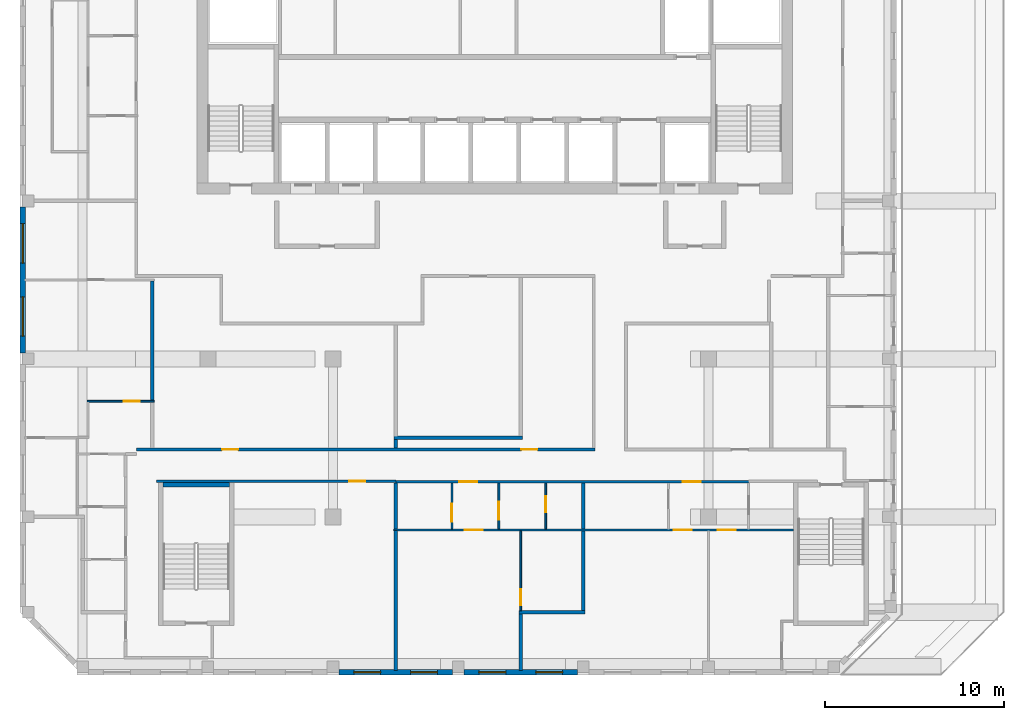
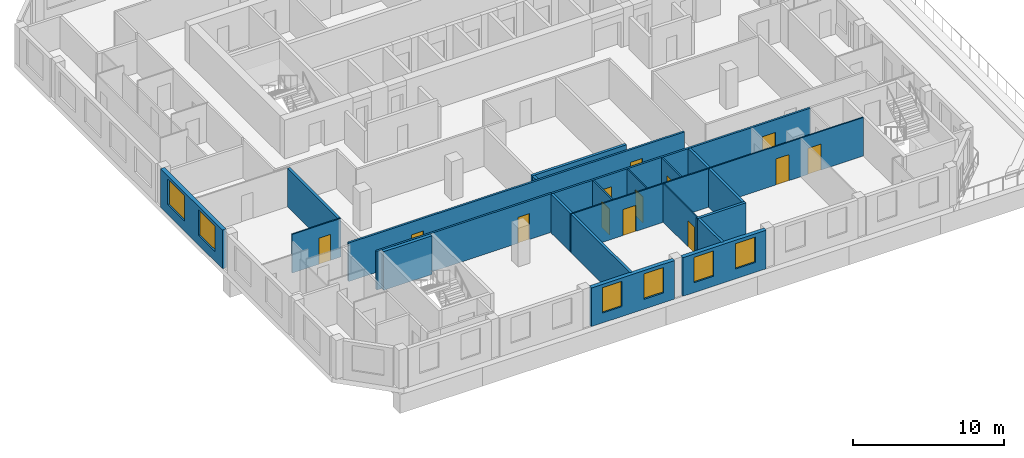
# One storey, part 3 of 13: 22 walls, 13 doors, 6 windows, 19 openings.
"""IFC4 building model written with IfcOpenShell, lengths in metres."""

from ifc_helpers import new_model, si_unit, direction, frame, frame_2d, origin, place, context, subcontext, project, spatial, rectangle, extrude, source, transform, mapped, material, layer, layer_set, type_object, element, fill, save


model = new_model("IFC4")

# Units and contexts
model_context = context("Model", 3, precision=1e-05, world=origin(), true_north=direction((0.0, 1.0)))
body_context = subcontext(model_context, "Body", "Model", "MODEL_VIEW")
ifc_project = project(units=[si_unit("LENGTHUNIT", "METRE"), si_unit("AREAUNIT", "SQUARE_METRE"), si_unit("VOLUMEUNIT", "CUBIC_METRE"), si_unit("PLANEANGLEUNIT", "RADIAN"), si_unit("MASSUNIT", "GRAM", prefix="KILO")], contexts=[model_context])

# Site, building, storey
site_placement = place(None, origin())
site = spatial("IfcSite", under=ifc_project, at=site_placement, CompositionType="ELEMENT")
building_placement = place(site_placement, origin())
building = spatial("IfcBuilding", under=site, at=building_placement, Name="Kilnfold Tower and Market Hall", CompositionType="ELEMENT")
storey_placement = place(building_placement, frame((0.0, 0.0, 267.0)))
storey = spatial("IfcBuildingStorey", under=building, at=storey_placement, Name="L65", CompositionType="ELEMENT", Elevation=267.0)

# Wall, openings, doors
ifc_material_1 = material(Name="Gypsum board on steel studs", Category="steel")
ifc_layer_1 = layer(ifc_material_1, 0.14990234375)
ifc_layer_set_1 = layer_set([ifc_layer_1], Name="Gypsum board on steel studs")
wall_type_1 = type_object("IfcWallType", Name="WALL CORRIDOR 150", PredefinedType="PARTITIONING", material=ifc_layer_set_1)
wall_1_placement = place(storey_placement, frame((-19.0, -5.89990234375, 0.0), z_axis=(0.0, 0.0, 1.0), x_axis=(1.0, 0.0, 0.0)))
wall_1 = element("IfcWall", 1, at=wall_1_placement, inside=storey, type_object=wall_type_1, Name="Partition LY41.6", PredefinedType="PARTITIONING", context=body_context, shape_type="SweptSolid", body=[
    extrude(rectangle(XDim=25.655029296875, YDim=0.14990234375, at=frame_2d((12.82763671875, 0.0))), origin(), (0.0, 0.0, 1.0), 3.1201171875),
])
opening_1_placement = place(wall_1_placement, frame((4.7958984375, 0.0, 0.0)))
opening_1 = element("IfcOpeningElement", 2, at=opening_1_placement, cuts=wall_1, Name="Opening D2", PredefinedType="OPENING", context=body_context, shape_type="SweptSolid", body=[
    extrude(rectangle(XDim=0.89990234375, YDim=2.10009765625, at=frame_2d((0.449951171875, 1.050048828125))), frame((0.0, 0.0849609375, 0.0), z_axis=(0.0, -1.0, 0.0), x_axis=(1.0, 0.0, 0.0)), (0.0, 0.0, 1.0), 0.169921875),
])
opening_2_placement = place(wall_1_placement, frame((21.534912109375, 0.0, 0.0)))
opening_2 = element("IfcOpeningElement", 3, at=opening_2_placement, cuts=wall_1, Name="Opening D2", PredefinedType="OPENING", context=body_context, shape_type="SweptSolid", body=[
    extrude(rectangle(XDim=0.89990234375, YDim=2.10009765625, at=frame_2d((0.449951171875, 1.050048828125))), frame((0.0, 0.0849609375, 0.0), z_axis=(0.0, -1.0, 0.0), x_axis=(1.0, 0.0, 0.0)), (0.0, 0.0, 1.0), 0.169921875),
])
ifc_material_2 = material(Name="Timber veneer door leaf in steel frame", Category="steel")
door_type_1 = type_object("IfcDoorType", Name="DOOR ROOM 900 X2100", OperationType="NOTDEFINED", PredefinedType="DOOR", material=ifc_material_2)
door_1_placement = place(opening_1_placement, origin())
door_1 = element("IfcDoor", 4, at=door_1_placement, inside=storey, type_object=door_type_1, Name="Door D2", OperationType="SINGLE_SWING_LEFT", OverallHeight=2.10009765625, OverallWidth=0.89990234375, PredefinedType="DOOR", context=body_context, shape_type="SweptSolid", body=[
    extrude(rectangle(XDim=0.89990234375, YDim=2.10009765625, at=frame_2d((0.449951171875, 1.050048828125))), frame((0.0, 0.02490234375, 0.0), z_axis=(0.0, -1.0, 0.0), x_axis=(1.0, 0.0, 0.0)), (0.0, 0.0, 1.0), 0.050048828125),
])
fill(opening_1, door_1)
door_2_placement = place(opening_2_placement, origin())
door_2 = element("IfcDoor", 5, at=door_2_placement, inside=storey, type_object=door_type_1, Name="Door D2", OperationType="SINGLE_SWING_LEFT", OverallHeight=2.10009765625, OverallWidth=0.89990234375, PredefinedType="DOOR", context=body_context, shape_type="SweptSolid", body=[
    extrude(rectangle(XDim=0.89990234375, YDim=2.10009765625, at=frame_2d((0.449951171875, 1.050048828125))), frame((0.0, 0.02490234375, 0.0), z_axis=(0.0, -1.0, 0.0), x_axis=(1.0, 0.0, 0.0)), (0.0, 0.0, 1.0), 0.050048828125),
])
fill(opening_2, door_2)

# Wall, opening, door
wall_2_placement = place(storey_placement, frame((-17.875, -7.669921875, 0.0), z_axis=(0.0, 0.0, 1.0), x_axis=(1.0, 0.0, 0.0)))
wall_2 = element("IfcWall", 6, at=wall_2_placement, inside=storey, type_object=wall_type_1, Name="Partition LY41.9", PredefinedType="PARTITIONING", context=body_context, shape_type="SweptSolid", body=[
    extrude(rectangle(XDim=13.385009765625, YDim=0.14990234375, at=frame_2d((6.6923828125, 0.0))), origin(), (0.0, 0.0, 1.0), 3.1201171875),
])
opening_3_placement = place(wall_2_placement, frame((10.77392578125, 0.0, 0.0)))
opening_3 = element("IfcOpeningElement", 7, at=opening_3_placement, cuts=wall_2, Name="Opening D2", PredefinedType="OPENING", context=body_context, shape_type="SweptSolid", body=[
    extrude(rectangle(XDim=0.89990234375, YDim=2.10009765625, at=frame_2d((0.449951171875, 1.050048828125))), frame((0.0, 0.0849609375, 0.0), z_axis=(0.0, -1.0, 0.0), x_axis=(1.0, 0.0, 0.0)), (0.0, 0.0, 1.0), 0.169921875),
])
door_3_placement = place(opening_3_placement, origin())
door_3 = element("IfcDoor", 8, at=door_3_placement, inside=storey, type_object=door_type_1, Name="Door D2", OperationType="SINGLE_SWING_RIGHT", OverallHeight=2.10009765625, OverallWidth=0.89990234375, PredefinedType="DOOR", context=body_context, shape_type="SweptSolid", body=[
    extrude(rectangle(XDim=0.89990234375, YDim=2.10009765625, at=frame_2d((0.449951171875, 1.050048828125))), frame((0.0, 0.02490234375, 0.0), z_axis=(0.0, -1.0, 0.0), x_axis=(1.0, 0.0, 0.0)), (0.0, 0.0, 1.0), 0.050048828125),
])
fill(opening_3, door_3)

# Wall, openings, doors
wall_3_placement = place(storey_placement, frame((-4.510009765625, -7.699951171875, 0.0), z_axis=(0.0, 0.0, 1.0), x_axis=(1.0, 0.0, 0.0)))
wall_3 = element("IfcWall", 9, at=wall_3_placement, inside=storey, type_object=wall_type_1, Name="Partition LY41.15", PredefinedType="PARTITIONING", context=body_context, shape_type="SweptSolid", body=[
    extrude(rectangle(XDim=19.760009765625, YDim=0.14990234375, at=frame_2d((9.8798828125, 0.0))), origin(), (0.0, 0.0, 1.0), 3.1201171875),
])
opening_4_placement = place(wall_3_placement, frame((3.56591796875, 0.0, 0.0)))
opening_4 = element("IfcOpeningElement", 10, at=opening_4_placement, cuts=wall_3, Name="Opening D1", PredefinedType="OPENING", context=body_context, shape_type="SweptSolid", body=[
    extrude(rectangle(XDim=1.0, YDim=2.10009765625, at=frame_2d((0.5, 1.050048828125))), frame((0.0, 0.0849609375, 0.0), z_axis=(0.0, -1.0, 0.0), x_axis=(1.0, 0.0, 0.0)), (0.0, 0.0, 1.0), 0.169921875),
])
opening_5_placement = place(wall_3_placement, frame((16.080078125, 0.0, 0.0)))
opening_5 = element("IfcOpeningElement", 11, at=opening_5_placement, cuts=wall_3, Name="Opening D1", PredefinedType="OPENING", context=body_context, shape_type="SweptSolid", body=[
    extrude(rectangle(XDim=1.0, YDim=2.10009765625, at=frame_2d((0.5, 1.050048828125))), frame((0.0, 0.0849609375, 0.0), z_axis=(0.0, -1.0, 0.0), x_axis=(1.0, 0.0, 0.0)), (0.0, 0.0, 1.0), 0.169921875),
])
ifc_material_3 = material(Name="Timber veneer door leaf in steel frame", Category="steel")
door_type_2 = type_object("IfcDoorType", Name="DOOR ENTRY 1000 X2100", OperationType="NOTDEFINED", PredefinedType="DOOR", material=ifc_material_3)
door_4_placement = place(opening_4_placement, origin())
door_4 = element("IfcDoor", 12, at=door_4_placement, inside=storey, type_object=door_type_2, Name="Door D1", OperationType="SINGLE_SWING_LEFT", OverallHeight=2.10009765625, OverallWidth=1.0, PredefinedType="DOOR", context=body_context, shape_type="SweptSolid", body=[
    extrude(rectangle(XDim=1.0, YDim=2.10009765625, at=frame_2d((0.5, 1.050048828125))), frame((0.0, 0.02490234375, 0.0), z_axis=(0.0, -1.0, 0.0), x_axis=(1.0, 0.0, 0.0)), (0.0, 0.0, 1.0), 0.050048828125),
])
fill(opening_4, door_4)
door_5_placement = place(opening_5_placement, origin())
door_5 = element("IfcDoor", 13, at=door_5_placement, inside=storey, type_object=door_type_2, Name="Door D1", OperationType="SINGLE_SWING_LEFT", OverallHeight=2.10009765625, OverallWidth=1.0, PredefinedType="DOOR", context=body_context, shape_type="SweptSolid", body=[
    extrude(rectangle(XDim=1.0, YDim=2.10009765625, at=frame_2d((0.5, 1.050048828125))), frame((0.0, 0.02490234375, 0.0), z_axis=(0.0, -1.0, 0.0), x_axis=(1.0, 0.0, 0.0)), (0.0, 0.0, 1.0), 0.050048828125),
])
fill(opening_5, door_5)

# Wall, opening, door
ifc_material_4 = material(Name="Gypsum board on steel studs", Category="steel")
ifc_layer_2 = layer(ifc_material_4, 0.10009765625)
ifc_layer_set_2 = layer_set([ifc_layer_2], Name="Gypsum board on steel studs")
wall_type_2 = type_object("IfcWallType", Name="WALL PARTITION 100", PredefinedType="PARTITIONING", material=ifc_layer_set_2)
wall_4_placement = place(storey_placement, frame((-18.0, -3.199951171875, 0.0), z_axis=(0.0, 0.0, 1.0), x_axis=(-1.0, 0.0, 0.0)))
wall_4 = element("IfcWall", 14, at=wall_4_placement, inside=storey, type_object=wall_type_2, Name="Partition LY41.48", PredefinedType="PARTITIONING", context=body_context, shape_type="SweptSolid", body=[
    extrude(rectangle(XDim=3.75, YDim=0.10009765625, at=frame_2d((1.875, 0.0))), origin(), (0.0, 0.0, 1.0), 3.1201171875),
])
opening_6_placement = place(wall_4_placement, frame((0.81201171875, 0.0, 0.0)))
opening_6 = element("IfcOpeningElement", 15, at=opening_6_placement, cuts=wall_4, Name="Opening D2", PredefinedType="OPENING", context=body_context, shape_type="SweptSolid", body=[
    extrude(rectangle(XDim=0.89990234375, YDim=2.10009765625, at=frame_2d((0.449951171875, 1.050048828125))), frame((0.0, 0.06005859375, 0.0), z_axis=(0.0, -1.0, 0.0), x_axis=(1.0, 0.0, 0.0)), (0.0, 0.0, 1.0), 0.1201171875),
])
door_6_placement = place(opening_6_placement, origin())
door_6 = element("IfcDoor", 16, at=door_6_placement, inside=storey, type_object=door_type_1, Name="Door D2", OperationType="SINGLE_SWING_LEFT", OverallHeight=2.10009765625, OverallWidth=0.89990234375, PredefinedType="DOOR", context=body_context, shape_type="SweptSolid", body=[
    extrude(rectangle(XDim=0.89990234375, YDim=2.10009765625, at=frame_2d((0.449951171875, 1.050048828125))), frame((0.0, 0.02490234375, 0.0), z_axis=(0.0, -1.0, 0.0), x_axis=(1.0, 0.0, 0.0)), (0.0, 0.0, 1.0), 0.050048828125),
])
fill(opening_6, door_6)

wall_5_placement = place(storey_placement, frame((-1.35009765625, -10.35009765625, 0.0), z_axis=(0.0, 0.0, 1.0), x_axis=(0.0, 1.0, 0.0)))
wall_5 = element("IfcWall", 17, at=wall_5_placement, inside=storey, type_object=wall_type_2, Name="Partition LY41.57", PredefinedType="PARTITIONING", context=body_context, shape_type="SweptSolid", body=[
    extrude(rectangle(XDim=2.572998046875, YDim=0.10009765625, at=frame_2d((1.28662109375, 0.0))), origin(), (0.0, 0.0, 1.0), 3.1201171875),
])
opening_7_placement = place(wall_5_placement, frame((0.4130859375, 0.0, 0.0)))
opening_7 = element("IfcOpeningElement", 18, at=opening_7_placement, cuts=wall_5, Name="Opening D1", PredefinedType="OPENING", context=body_context, shape_type="SweptSolid", body=[
    extrude(rectangle(XDim=1.0, YDim=2.10009765625, at=frame_2d((0.5, 1.050048828125))), frame((0.0, 0.06005859375, 0.0), z_axis=(0.0, -1.0, 0.0), x_axis=(1.0, 0.0, 0.0)), (0.0, 0.0, 1.0), 0.1201171875),
])
door_7_placement = place(opening_7_placement, origin())
door_7 = element("IfcDoor", 19, at=door_7_placement, inside=storey, type_object=door_type_2, Name="Door D1", OperationType="SINGLE_SWING_RIGHT", OverallHeight=2.10009765625, OverallWidth=1.0, PredefinedType="DOOR", context=body_context, shape_type="SweptSolid", body=[
    extrude(rectangle(XDim=1.0, YDim=2.10009765625, at=frame_2d((0.5, 1.050048828125))), frame((0.0, 0.02490234375, 0.0), z_axis=(0.0, -1.0, 0.0), x_axis=(1.0, 0.0, 0.0)), (0.0, 0.0, 1.0), 0.050048828125),
])
fill(opening_7, door_7)

# Wall, openings, doors
wall_6_placement = place(storey_placement, frame((-4.60009765625, -10.39990234375, 0.0), z_axis=(0.0, 0.0, 1.0), x_axis=(1.0, 0.0, 0.0)))
wall_6 = element("IfcWall", 20, at=wall_6_placement, inside=storey, type_object=wall_type_2, Name="Partition LY41.58", PredefinedType="PARTITIONING", context=body_context, shape_type="SweptSolid", body=[
    extrude(rectangle(XDim=22.35009765625, YDim=0.10009765625, at=frame_2d((11.175048828125, 0.0))), origin(), (0.0, 0.0, 1.0), 3.1201171875),
])
opening_8_placement = place(wall_6_placement, frame((3.9599609375, 0.0, 0.0)))
opening_8 = element("IfcOpeningElement", 21, at=opening_8_placement, cuts=wall_6, Name="Opening D1", PredefinedType="OPENING", context=body_context, shape_type="SweptSolid", body=[
    extrude(rectangle(XDim=1.0, YDim=2.10009765625, at=frame_2d((0.5, 1.050048828125))), frame((0.0, 0.06005859375, 0.0), z_axis=(0.0, -1.0, 0.0), x_axis=(1.0, 0.0, 0.0)), (0.0, 0.0, 1.0), 0.1201171875),
])
opening_9_placement = place(wall_6_placement, frame((15.666015625, 0.0, 0.0)))
opening_9 = element("IfcOpeningElement", 22, at=opening_9_placement, cuts=wall_6, Name="Opening D1", PredefinedType="OPENING", context=body_context, shape_type="SweptSolid", body=[
    extrude(rectangle(XDim=1.0, YDim=2.10009765625, at=frame_2d((0.5, 1.050048828125))), frame((0.0, 0.06005859375, 0.0), z_axis=(0.0, -1.0, 0.0), x_axis=(1.0, 0.0, 0.0)), (0.0, 0.0, 1.0), 0.1201171875),
])
opening_10_placement = place(wall_6_placement, frame((18.10888671875, 0.0, 0.0)))
opening_10 = element("IfcOpeningElement", 23, at=opening_10_placement, cuts=wall_6, Name="Opening D1", PredefinedType="OPENING", context=body_context, shape_type="SweptSolid", body=[
    extrude(rectangle(XDim=1.0, YDim=2.10009765625, at=frame_2d((0.5, 1.050048828125))), frame((0.0, 0.06005859375, 0.0), z_axis=(0.0, -1.0, 0.0), x_axis=(1.0, 0.0, 0.0)), (0.0, 0.0, 1.0), 0.1201171875),
])
door_8_placement = place(opening_8_placement, origin())
door_8 = element("IfcDoor", 24, at=door_8_placement, inside=storey, type_object=door_type_2, Name="Door D1", OperationType="SINGLE_SWING_RIGHT", OverallHeight=2.10009765625, OverallWidth=1.0, PredefinedType="DOOR", context=body_context, shape_type="SweptSolid", body=[
    extrude(rectangle(XDim=1.0, YDim=2.10009765625, at=frame_2d((0.5, 1.050048828125))), frame((0.0, 0.02490234375, 0.0), z_axis=(0.0, -1.0, 0.0), x_axis=(1.0, 0.0, 0.0)), (0.0, 0.0, 1.0), 0.050048828125),
])
fill(opening_8, door_8)
door_9_placement = place(opening_9_placement, origin())
door_9 = element("IfcDoor", 25, at=door_9_placement, inside=storey, type_object=door_type_2, Name="Door D1", OperationType="SINGLE_SWING_RIGHT", OverallHeight=2.10009765625, OverallWidth=1.0, PredefinedType="DOOR", context=body_context, shape_type="SweptSolid", body=[
    extrude(rectangle(XDim=1.0, YDim=2.10009765625, at=frame_2d((0.5, 1.050048828125))), frame((0.0, 0.02490234375, 0.0), z_axis=(0.0, -1.0, 0.0), x_axis=(1.0, 0.0, 0.0)), (0.0, 0.0, 1.0), 0.050048828125),
])
fill(opening_9, door_9)
door_10_placement = place(opening_10_placement, origin())
door_10 = element("IfcDoor", 26, at=door_10_placement, inside=storey, type_object=door_type_2, Name="Door D1", OperationType="SINGLE_SWING_RIGHT", OverallHeight=2.10009765625, OverallWidth=1.0, PredefinedType="DOOR", context=body_context, shape_type="SweptSolid", body=[
    extrude(rectangle(XDim=1.0, YDim=2.10009765625, at=frame_2d((0.5, 1.050048828125))), frame((0.0, 0.02490234375, 0.0), z_axis=(0.0, -1.0, 0.0), x_axis=(1.0, 0.0, 0.0)), (0.0, 0.0, 1.0), 0.050048828125),
])
fill(opening_10, door_10)

# Wall, opening, door
wall_7_placement = place(storey_placement, frame((1.27490234375, -10.35009765625, 0.0), z_axis=(0.0, 0.0, 1.0), x_axis=(0.0, 1.0, 0.0)))
wall_7 = element("IfcWall", 27, at=wall_7_placement, inside=storey, type_object=wall_type_2, Name="Partition LY41.59", PredefinedType="PARTITIONING", context=body_context, shape_type="SweptSolid", body=[
    extrude(rectangle(XDim=2.572998046875, YDim=0.10009765625, at=frame_2d((1.28662109375, 0.0))), origin(), (0.0, 0.0, 1.0), 3.1201171875),
])
opening_11_placement = place(wall_7_placement, frame((0.52001953125, 0.0, 0.0)))
opening_11 = element("IfcOpeningElement", 28, at=opening_11_placement, cuts=wall_7, Name="Opening D1", PredefinedType="OPENING", context=body_context, shape_type="SweptSolid", body=[
    extrude(rectangle(XDim=1.0, YDim=2.10009765625, at=frame_2d((0.5, 1.050048828125))), frame((0.0, 0.06005859375, 0.0), z_axis=(0.0, -1.0, 0.0), x_axis=(1.0, 0.0, 0.0)), (0.0, 0.0, 1.0), 0.1201171875),
])
door_11_placement = place(opening_11_placement, origin())
door_11 = element("IfcDoor", 29, at=door_11_placement, inside=storey, type_object=door_type_2, Name="Door D1", OperationType="SINGLE_SWING_RIGHT", OverallHeight=2.10009765625, OverallWidth=1.0, PredefinedType="DOOR", context=body_context, shape_type="SweptSolid", body=[
    extrude(rectangle(XDim=1.0, YDim=2.10009765625, at=frame_2d((0.5, 1.050048828125))), frame((0.0, 0.02490234375, 0.0), z_axis=(0.0, -1.0, 0.0), x_axis=(1.0, 0.0, 0.0)), (0.0, 0.0, 1.0), 0.050048828125),
])
fill(opening_11, door_11)

wall_8_placement = place(storey_placement, frame((3.89990234375, -10.35009765625, 0.0), z_axis=(0.0, 0.0, 1.0), x_axis=(0.0, 1.0, 0.0)))
wall_8 = element("IfcWall", 30, at=wall_8_placement, inside=storey, type_object=wall_type_2, Name="Partition LY41.60", PredefinedType="PARTITIONING", context=body_context, shape_type="SweptSolid", body=[
    extrude(rectangle(XDim=2.572998046875, YDim=0.10009765625, at=frame_2d((1.28662109375, 0.0))), origin(), (0.0, 0.0, 1.0), 3.1201171875),
])
opening_12_placement = place(wall_8_placement, frame((0.943115234375, 0.0, 0.0)))
opening_12 = element("IfcOpeningElement", 31, at=opening_12_placement, cuts=wall_8, Name="Opening D2", PredefinedType="OPENING", context=body_context, shape_type="SweptSolid", body=[
    extrude(rectangle(XDim=0.89990234375, YDim=2.10009765625, at=frame_2d((0.449951171875, 1.050048828125))), frame((0.0, 0.06005859375, 0.0), z_axis=(0.0, -1.0, 0.0), x_axis=(1.0, 0.0, 0.0)), (0.0, 0.0, 1.0), 0.1201171875),
])
door_12_placement = place(opening_12_placement, origin())
door_12 = element("IfcDoor", 32, at=door_12_placement, inside=storey, type_object=door_type_1, Name="Door D2", OperationType="SINGLE_SWING_RIGHT", OverallHeight=2.10009765625, OverallWidth=0.89990234375, PredefinedType="DOOR", context=body_context, shape_type="SweptSolid", body=[
    extrude(rectangle(XDim=0.89990234375, YDim=2.10009765625, at=frame_2d((0.449951171875, 1.050048828125))), frame((0.0, 0.02490234375, 0.0), z_axis=(0.0, -1.0, 0.0), x_axis=(1.0, 0.0, 0.0)), (0.0, 0.0, 1.0), 0.050048828125),
])
fill(opening_12, door_12)

wall_9_placement = place(storey_placement, frame((2.5, -14.909912109375, 0.0), z_axis=(0.0, 0.0, 1.0), x_axis=(0.0, 1.0, 0.0)))
wall_9 = element("IfcWall", 33, at=wall_9_placement, inside=storey, type_object=wall_type_2, Name="Partition LY41.62", PredefinedType="PARTITIONING", context=body_context, shape_type="SweptSolid", body=[
    extrude(rectangle(XDim=4.4580078125, YDim=0.10009765625, at=frame_2d((2.22900390625, 0.0))), origin(), (0.0, 0.0, 1.0), 3.1201171875),
])
opening_13_placement = place(wall_9_placement, frame((0.302001953125, 0.0, 0.0)))
opening_13 = element("IfcOpeningElement", 34, at=opening_13_placement, cuts=wall_9, Name="Opening D2", PredefinedType="OPENING", context=body_context, shape_type="SweptSolid", body=[
    extrude(rectangle(XDim=0.89990234375, YDim=2.10009765625, at=frame_2d((0.449951171875, 1.050048828125))), frame((0.0, 0.06005859375, 0.0), z_axis=(0.0, -1.0, 0.0), x_axis=(1.0, 0.0, 0.0)), (0.0, 0.0, 1.0), 0.1201171875),
])
door_13_placement = place(opening_13_placement, origin())
door_13 = element("IfcDoor", 35, at=door_13_placement, inside=storey, type_object=door_type_1, Name="Door D2", OperationType="SINGLE_SWING_RIGHT", OverallHeight=2.10009765625, OverallWidth=0.89990234375, PredefinedType="DOOR", context=body_context, shape_type="SweptSolid", body=[
    extrude(rectangle(XDim=0.89990234375, YDim=2.10009765625, at=frame_2d((0.449951171875, 1.050048828125))), frame((0.0, 0.02490234375, 0.0), z_axis=(0.0, -1.0, 0.0), x_axis=(1.0, 0.0, 0.0)), (0.0, 0.0, 1.0), 0.050048828125),
])
fill(opening_13, door_13)

# Walls
ifc_material_5 = material(Name="Gypsum board on steel studs", Category="steel")
ifc_layer_3 = layer(ifc_material_5, 0.199951171875)
ifc_layer_set_3 = layer_set([ifc_layer_3], Name="Gypsum board on steel studs")
wall_type_3 = type_object("IfcWallType", Name="WALL PARTY 200", PredefinedType="PARTITIONING", material=ifc_layer_set_3)
wall_10_placement = place(storey_placement, frame((-18.10009765625, -3.14794921875, 0.0), z_axis=(0.0, 0.0, 1.0), x_axis=(0.0, 1.0, 0.0)))
element("IfcWall", 36, at=wall_10_placement, inside=storey, type_object=wall_type_3, Name="Partition LY41.53", PredefinedType="PARTITIONING", context=body_context, shape_type="SweptSolid", body=[
    extrude(rectangle(XDim=6.680908203125, YDim=0.199951171875, at=frame_2d((3.34033203125, 0.0))), origin(), (0.0, 0.0, 1.0), 3.1201171875),
])
wall_11_placement = place(storey_placement, frame((-4.5, -10.360107421875, 0.0), z_axis=(0.0, 0.0, 1.0), x_axis=(0.0, 1.0, 0.0)))
element("IfcWall", 37, at=wall_11_placement, inside=storey, type_object=wall_type_3, Name="Partition LY41.55", PredefinedType="PARTITIONING", context=body_context, shape_type="SweptSolid", body=[
    extrude(rectangle(XDim=2.5830078125, YDim=0.199951171875, at=frame_2d((1.29150390625, 0.0))), origin(), (0.0, 0.0, 1.0), 3.1201171875),
])
wall_12_placement = place(storey_placement, frame((-4.5, -18.25, 0.0), z_axis=(0.0, 0.0, 1.0), x_axis=(0.0, 1.0, 0.0)))
element("IfcWall", 38, at=wall_12_placement, inside=storey, type_object=wall_type_3, Name="Partition LY41.56", PredefinedType="PARTITIONING", context=body_context, shape_type="SweptSolid", body=[
    extrude(rectangle(XDim=7.80810546875, YDim=0.199951171875, at=frame_2d((3.904052734375, 0.0))), origin(), (0.0, 0.0, 1.0), 3.1201171875),
])
wall_13_placement = place(storey_placement, frame((6.0, -10.35009765625, 0.0), z_axis=(0.0, 0.0, 1.0), x_axis=(0.0, 1.0, 0.0)))
element("IfcWall", 39, at=wall_13_placement, inside=storey, type_object=wall_type_3, Name="Partition LY41.61", PredefinedType="PARTITIONING", context=body_context, shape_type="SweptSolid", body=[
    extrude(rectangle(XDim=2.572998046875, YDim=0.199951171875, at=frame_2d((1.28662109375, 0.0))), origin(), (0.0, 0.0, 1.0), 3.1201171875),
])
wall_14_placement = place(storey_placement, frame((2.5, -18.25, 0.0), z_axis=(0.0, 0.0, 1.0), x_axis=(0.0, 1.0, 0.0)))
element("IfcWall", 40, at=wall_14_placement, inside=storey, type_object=wall_type_3, Name="Partition LY41.63", PredefinedType="PARTITIONING", context=body_context, shape_type="SweptSolid", body=[
    extrude(rectangle(XDim=3.159912109375, YDim=0.199951171875, at=frame_2d((1.580078125, 0.0))), origin(), (0.0, 0.0, 1.0), 3.1201171875),
])
wall_15_placement = place(storey_placement, frame((2.39990234375, -15.0, 0.0), z_axis=(0.0, 0.0, 1.0), x_axis=(1.0, 0.0, 0.0)))
element("IfcWall", 41, at=wall_15_placement, inside=storey, type_object=wall_type_3, Name="Partition LY41.64", PredefinedType="PARTITIONING", context=body_context, shape_type="SweptSolid", body=[
    extrude(rectangle(XDim=3.7001953125, YDim=0.199951171875, at=frame_2d((1.85009765625, 0.0))), origin(), (0.0, 0.0, 1.0), 3.1201171875),
])
wall_16_placement = place(storey_placement, frame((6.0, -14.89990234375, 0.0), z_axis=(0.0, 0.0, 1.0), x_axis=(0.0, 1.0, 0.0)))
element("IfcWall", 42, at=wall_16_placement, inside=storey, type_object=wall_type_3, Name="Partition LY41.65", PredefinedType="PARTITIONING", context=body_context, shape_type="SweptSolid", body=[
    extrude(rectangle(XDim=4.447998046875, YDim=0.199951171875, at=frame_2d((2.22412109375, 0.0))), origin(), (0.0, 0.0, 1.0), 3.1201171875),
])
wall_17_placement = place(storey_placement, frame((-4.5, -5.822998046875, 0.0), z_axis=(0.0, 0.0, 1.0), x_axis=(0.0, 1.0, 0.0)))
element("IfcWall", 43, at=wall_17_placement, inside=storey, type_object=wall_type_3, Name="Partition LY41.96", PredefinedType="PARTITIONING", context=body_context, shape_type="SweptSolid", body=[
    extrude(rectangle(XDim=0.48291015625, YDim=0.199951171875, at=frame_2d((0.241455078125, 0.0))), origin(), (0.0, 0.0, 1.0), 3.1201171875),
])
wall_18_placement = place(storey_placement, frame((-4.60009765625, -5.25, 0.0), z_axis=(0.0, 0.0, 1.0), x_axis=(1.0, 0.0, 0.0)))
element("IfcWall", 44, at=wall_18_placement, inside=storey, type_object=wall_type_3, Name="Partition LY41.98", PredefinedType="PARTITIONING", context=body_context, shape_type="SweptSolid", body=[
    extrude(rectangle(XDim=7.2001953125, YDim=0.199951171875, at=frame_2d((3.60009765625, 0.0))), origin(), (0.0, 0.0, 1.0), 3.1201171875),
])
ifc_material_6 = material(Name="Concrete C50", Category="concrete")
ifc_layer_4 = layer(ifc_material_6, 0.25)
ifc_layer_set_4 = layer_set([ifc_layer_4], Name="Concrete C50")
wall_type_4 = type_object("IfcWallType", Name="CORE WALL 250 C50", PredefinedType="SHEAR", material=ifc_layer_set_4)
shared_shape_1 = source(origin(), body_context, "Body", "SweptSolid", [
    extrude(rectangle(XDim=3.699951171875, YDim=0.25, at=frame_2d((1.85009765625, 0.0))), origin(), (0.0, 0.0, 1.0), 3.1201171875),
])
wall_19_placement = place(storey_placement, frame((-17.5, -7.875, 0.0), z_axis=(0.0, 0.0, 1.0), x_axis=(1.0, 0.0, 0.0)))
element("IfcWall", 45, at=wall_19_placement, inside=storey, type_object=wall_type_4, Name="Stair enclosure ST3", PredefinedType="SHEAR", context=body_context, shape_type="MappedRepresentation", body=[
    mapped(shared_shape_1, transform((0.0, 0.0, 0.0))),
])

# Wall, openings, windows
ifc_material_7 = material(Name="Precast concrete C50/60", Category="concrete")
ifc_layer_5 = layer(ifc_material_7, 0.300048828125)
ifc_layer_set_5 = layer_set([ifc_layer_5], Name="Precast concrete C50/60")
wall_type_5 = type_object("IfcWallType", Name="PRECAST WALL 300", PredefinedType="SOLIDWALL", material=ifc_layer_set_5)
shared_shape_2 = source(origin(), body_context, "Body", "SweptSolid", [
    extrude(rectangle(XDim=6.35009765625, YDim=0.300048828125, at=frame_2d((3.175048828125, 0.0))), origin(), (0.0, 0.0, 1.0), 3.1201171875),
])
wall_20_placement = place(storey_placement, frame((-7.675048828125, -18.35009765625, 0.0), z_axis=(0.0, 0.0, 1.0), x_axis=(1.0, 0.0, 0.0)))
wall_20 = element("IfcWall", 46, at=wall_20_placement, inside=storey, type_object=wall_type_5, Name="External wall L65 S", PredefinedType="SOLIDWALL", context=body_context, shape_type="MappedRepresentation", body=[
    mapped(shared_shape_2, transform((0.0, 0.0, 0.0))),
])
opening_14_placement = place(wall_20_placement, frame((0.83740234375, 0.0, 0.800048828125)))
opening_14 = element("IfcOpeningElement", 47, at=opening_14_placement, cuts=wall_20, Name="Opening W5", PredefinedType="OPENING", context=body_context, shape_type="SweptSolid", body=[
    extrude(rectangle(XDim=1.5, YDim=2.050048828125, at=frame_2d((0.75, 1.02490234375))), frame((0.0, 0.16015625, 0.0), z_axis=(0.0, -1.0, 0.0), x_axis=(1.0, 0.0, 0.0)), (0.0, 0.0, 1.0), 0.320068359375),
])
opening_15_placement = place(wall_20_placement, frame((4.012451171875, 0.0, 0.800048828125)))
opening_15 = element("IfcOpeningElement", 48, at=opening_15_placement, cuts=wall_20, Name="Opening W5", PredefinedType="OPENING", context=body_context, shape_type="SweptSolid", body=[
    extrude(rectangle(XDim=1.5, YDim=2.050048828125, at=frame_2d((0.75, 1.02490234375))), frame((0.0, 0.16015625, 0.0), z_axis=(0.0, -1.0, 0.0), x_axis=(1.0, 0.0, 0.0)), (0.0, 0.0, 1.0), 0.320068359375),
])
ifc_material_8 = material(Name="Aluminium frame and double glazing", Category="aluminium")
window_type_1 = type_object("IfcWindowType", Name="WINDOW W5 1500X2050", PartitioningType="SINGLE_PANEL", PredefinedType="WINDOW", material=ifc_material_8)
window_1_placement = place(opening_14_placement, origin())
window_1 = element("IfcWindow", 49, at=window_1_placement, inside=storey, type_object=window_type_1, Name="Window W5 L65 S-1", OverallHeight=2.050048828125, OverallWidth=1.5, PartitioningType="SINGLE_PANEL", PredefinedType="WINDOW", context=body_context, shape_type="SweptSolid", body=[
    extrude(rectangle(XDim=1.5, YDim=2.050048828125, at=frame_2d((0.75, 1.02490234375))), frame((0.0, 0.030029296875, 0.0), z_axis=(0.0, -1.0, 0.0), x_axis=(1.0, 0.0, 0.0)), (0.0, 0.0, 1.0), 0.06005859375),
])
fill(opening_14, window_1)
window_2_placement = place(opening_15_placement, origin())
window_2 = element("IfcWindow", 50, at=window_2_placement, inside=storey, type_object=window_type_1, Name="Window W5 L65 S-2", OverallHeight=2.050048828125, OverallWidth=1.5, PartitioningType="SINGLE_PANEL", PredefinedType="WINDOW", context=body_context, shape_type="SweptSolid", body=[
    extrude(rectangle(XDim=1.5, YDim=2.050048828125, at=frame_2d((0.75, 1.02490234375))), frame((0.0, 0.030029296875, 0.0), z_axis=(0.0, -1.0, 0.0), x_axis=(1.0, 0.0, 0.0)), (0.0, 0.0, 1.0), 0.06005859375),
])
fill(opening_15, window_2)

wall_21_placement = place(storey_placement, frame((-0.675048828125, -18.35009765625, 0.0), z_axis=(0.0, 0.0, 1.0), x_axis=(1.0, 0.0, 0.0)))
wall_21 = element("IfcWall", 51, at=wall_21_placement, inside=storey, type_object=wall_type_5, Name="External wall L65 S", PredefinedType="SOLIDWALL", context=body_context, shape_type="MappedRepresentation", body=[
    mapped(shared_shape_2, transform((0.0, 0.0, 0.0))),
])
opening_16_placement = place(wall_21_placement, frame((0.83740234375, 0.0, 0.800048828125)))
opening_16 = element("IfcOpeningElement", 52, at=opening_16_placement, cuts=wall_21, Name="Opening W5", PredefinedType="OPENING", context=body_context, shape_type="SweptSolid", body=[
    extrude(rectangle(XDim=1.5, YDim=2.050048828125, at=frame_2d((0.75, 1.02490234375))), frame((0.0, 0.16015625, 0.0), z_axis=(0.0, -1.0, 0.0), x_axis=(1.0, 0.0, 0.0)), (0.0, 0.0, 1.0), 0.320068359375),
])
opening_17_placement = place(wall_21_placement, frame((4.012451171875, 0.0, 0.800048828125)))
opening_17 = element("IfcOpeningElement", 53, at=opening_17_placement, cuts=wall_21, Name="Opening W5", PredefinedType="OPENING", context=body_context, shape_type="SweptSolid", body=[
    extrude(rectangle(XDim=1.5, YDim=2.050048828125, at=frame_2d((0.75, 1.02490234375))), frame((0.0, 0.16015625, 0.0), z_axis=(0.0, -1.0, 0.0), x_axis=(1.0, 0.0, 0.0)), (0.0, 0.0, 1.0), 0.320068359375),
])
window_3_placement = place(opening_16_placement, origin())
window_3 = element("IfcWindow", 54, at=window_3_placement, inside=storey, type_object=window_type_1, Name="Window W5 L65 S-1", OverallHeight=2.050048828125, OverallWidth=1.5, PartitioningType="SINGLE_PANEL", PredefinedType="WINDOW", context=body_context, shape_type="SweptSolid", body=[
    extrude(rectangle(XDim=1.5, YDim=2.050048828125, at=frame_2d((0.75, 1.02490234375))), frame((0.0, 0.030029296875, 0.0), z_axis=(0.0, -1.0, 0.0), x_axis=(1.0, 0.0, 0.0)), (0.0, 0.0, 1.0), 0.06005859375),
])
fill(opening_16, window_3)
window_4_placement = place(opening_17_placement, origin())
window_4 = element("IfcWindow", 55, at=window_4_placement, inside=storey, type_object=window_type_1, Name="Window W5 L65 S-2", OverallHeight=2.050048828125, OverallWidth=1.5, PartitioningType="SINGLE_PANEL", PredefinedType="WINDOW", context=body_context, shape_type="SweptSolid", body=[
    extrude(rectangle(XDim=1.5, YDim=2.050048828125, at=frame_2d((0.75, 1.02490234375))), frame((0.0, 0.030029296875, 0.0), z_axis=(0.0, -1.0, 0.0), x_axis=(1.0, 0.0, 0.0)), (0.0, 0.0, 1.0), 0.06005859375),
])
fill(opening_17, window_4)

shared_shape_3 = source(origin(), body_context, "Body", "SweptSolid", [
    extrude(rectangle(XDim=8.183349609375, YDim=0.300048828125, at=frame_2d((4.091796875, 0.0))), origin(), (0.0, 0.0, 1.0), 3.1201171875),
])
wall_22_placement = place(storey_placement, frame((-25.35009765625, 7.675048828125, 0.0), z_axis=(0.0, 0.0, 1.0), x_axis=(0.0, -1.0, 0.0)))
wall_22 = element("IfcWall", 56, at=wall_22_placement, inside=storey, type_object=wall_type_5, Name="External wall L65 W", PredefinedType="SOLIDWALL", context=body_context, shape_type="MappedRepresentation", body=[
    mapped(shared_shape_3, transform((0.0, 0.0, 0.0))),
])
opening_18_placement = place(wall_22_placement, frame((0.94580078125, 0.0, 0.800048828125)))
opening_18 = element("IfcOpeningElement", 57, at=opening_18_placement, cuts=wall_22, Name="Opening W3", PredefinedType="OPENING", context=body_context, shape_type="SweptSolid", body=[
    extrude(rectangle(XDim=2.199951171875, YDim=2.050048828125, at=frame_2d((1.10009765625, 1.02490234375))), frame((0.0, 0.16015625, 0.0), z_axis=(0.0, -1.0, 0.0), x_axis=(1.0, 0.0, 0.0)), (0.0, 0.0, 1.0), 0.320068359375),
])
opening_19_placement = place(wall_22_placement, frame((5.037353515625, 0.0, 0.800048828125)))
opening_19 = element("IfcOpeningElement", 58, at=opening_19_placement, cuts=wall_22, Name="Opening W3", PredefinedType="OPENING", context=body_context, shape_type="SweptSolid", body=[
    extrude(rectangle(XDim=2.199951171875, YDim=2.050048828125, at=frame_2d((1.10009765625, 1.02490234375))), frame((0.0, 0.16015625, 0.0), z_axis=(0.0, -1.0, 0.0), x_axis=(1.0, 0.0, 0.0)), (0.0, 0.0, 1.0), 0.320068359375),
])
ifc_material_9 = material(Name="Aluminium frame and double glazing", Category="aluminium")
window_type_2 = type_object("IfcWindowType", Name="WINDOW W3 2200X2050", PartitioningType="SINGLE_PANEL", PredefinedType="WINDOW", material=ifc_material_9)
window_5_placement = place(opening_18_placement, origin())
window_5 = element("IfcWindow", 59, at=window_5_placement, inside=storey, type_object=window_type_2, Name="Window W3 L65 W-1", OverallHeight=2.050048828125, OverallWidth=2.199951171875, PartitioningType="SINGLE_PANEL", PredefinedType="WINDOW", context=body_context, shape_type="SweptSolid", body=[
    extrude(rectangle(XDim=2.199951171875, YDim=2.050048828125, at=frame_2d((1.10009765625, 1.02490234375))), frame((0.0, 0.030029296875, 0.0), z_axis=(0.0, -1.0, 0.0), x_axis=(1.0, 0.0, 0.0)), (0.0, 0.0, 1.0), 0.06005859375),
])
fill(opening_18, window_5)
window_6_placement = place(opening_19_placement, origin())
window_6 = element("IfcWindow", 60, at=window_6_placement, inside=storey, type_object=window_type_2, Name="Window W3 L65 W-2", OverallHeight=2.050048828125, OverallWidth=2.199951171875, PartitioningType="SINGLE_PANEL", PredefinedType="WINDOW", context=body_context, shape_type="SweptSolid", body=[
    extrude(rectangle(XDim=2.199951171875, YDim=2.050048828125, at=frame_2d((1.10009765625, 1.02490234375))), frame((0.0, 0.030029296875, 0.0), z_axis=(0.0, -1.0, 0.0), x_axis=(1.0, 0.0, 0.0)), (0.0, 0.0, 1.0), 0.06005859375),
])
fill(opening_19, window_6)

save(model, "model.ifc")
